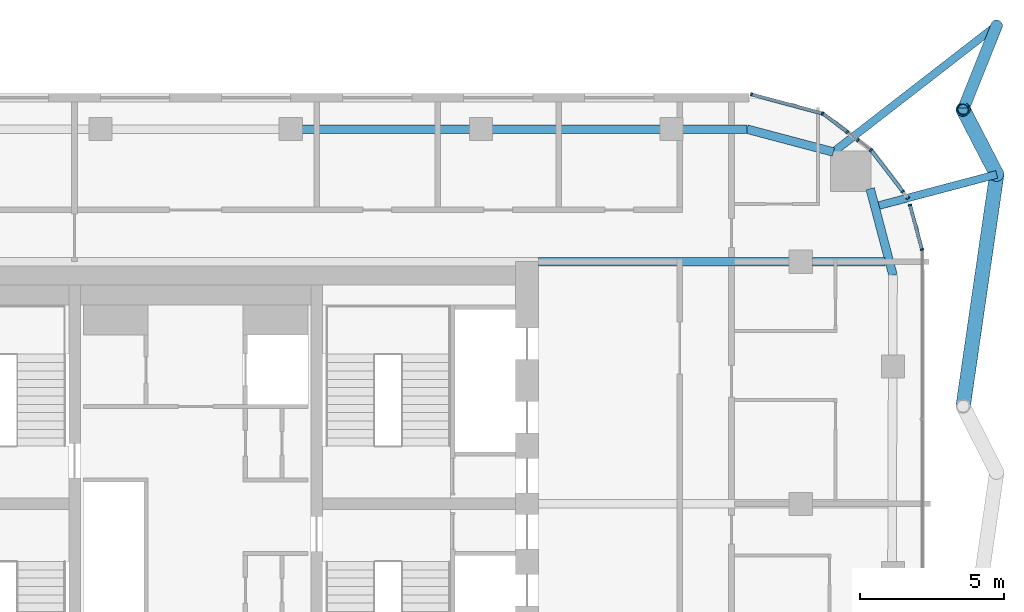
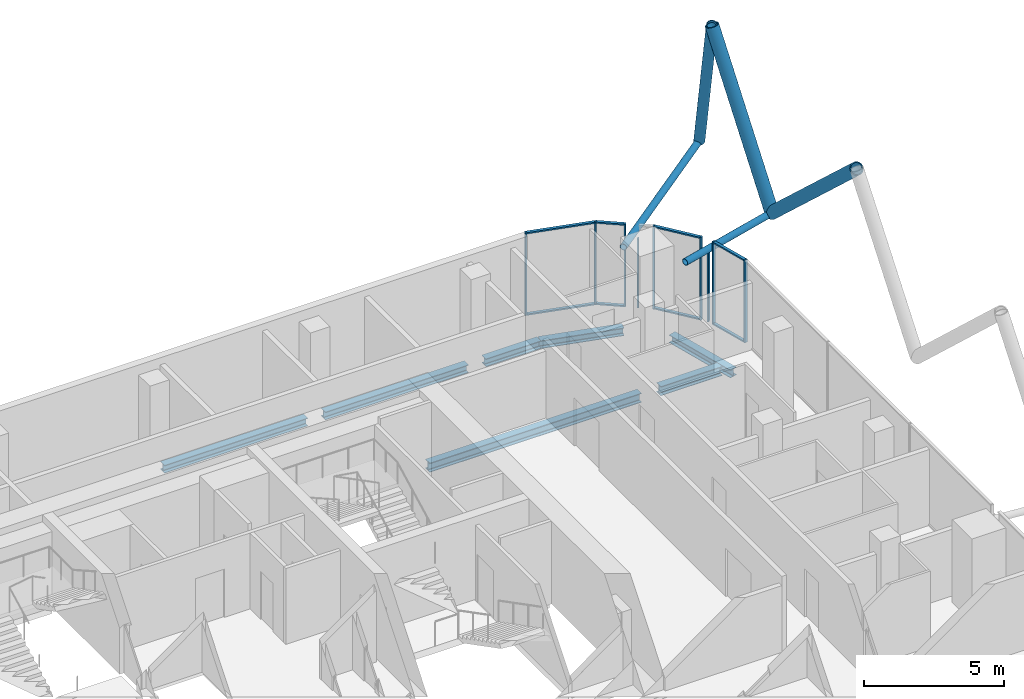
# One storey, part 13 of 33: 22 members, 7 beams, 7 elements without a shape of their own.
"""IFC4 building model written with IfcOpenShell, lengths in metres."""

from ifc_helpers import new_model, si_unit, direction, frame, origin, origin_2d, place, context, subcontext, project, spatial, rectangle, hollow_circle, i_section, extrude, material, layer, layer_set, material_profile, profile_set, type_object, element, aggregate, save


model = new_model("IFC4")

# Units and contexts
model_context = context("Model", 3, precision=1e-05, world=origin(), true_north=direction((0.0, 1.0)))
body_context = subcontext(model_context, "Body", "Model", "MODEL_VIEW")
ifc_project = project(units=[si_unit("LENGTHUNIT", "METRE"), si_unit("AREAUNIT", "SQUARE_METRE"), si_unit("VOLUMEUNIT", "CUBIC_METRE"), si_unit("PLANEANGLEUNIT", "RADIAN"), si_unit("MASSUNIT", "GRAM", prefix="KILO")], contexts=[model_context])

# Site, building, storey
site_placement = place(None, origin())
site = spatial("IfcSite", under=ifc_project, at=site_placement, CompositionType="ELEMENT")
building_placement = place(site_placement, origin())
building = spatial("IfcBuilding", under=site, at=building_placement, Name="Marenta Gate Hotel Tower", CompositionType="ELEMENT")
storey_placement = place(building_placement, frame((0.0, 0.0, 248.89990234375)))
storey = spatial("IfcBuildingStorey", under=building, at=storey_placement, Name="L59", CompositionType="ELEMENT", Elevation=248.89990234375)

# Members
ifc_material_1 = material(Name="Steel S355J2W", Category="steel")
ifc_material_profile_1 = material_profile(ifc_material_1, hollow_circle(Radius=0.203125, WallThickness=0.02490234375, at=origin_2d()), Name="CHS 406.4x25")
ifc_profile_set_1 = profile_set([ifc_material_profile_1], Name="Steel S355J2W")
member_type_1 = type_object("IfcMemberType", Name="Diagrid corner post Z3 CHS 406.4x25", PredefinedType="POST", material=ifc_profile_set_1)
member_1_placement = place(storey_placement, frame((27.800048828125, 25.0, 3.14013671875), z_axis=(-0.148326514511, -0.371127113005, 0.916659102985), x_axis=(0.928583922291, -0.371122485525, 0.0)))
element("IfcMember", 1, at=member_1_placement, inside=storey, type_object=member_type_1, Name="L59-DR-1", PredefinedType="POST", context=body_context, shape_type="SweptSolid", body=[
    extrude(hollow_circle(Radius=0.203125, WallThickness=0.02490234375, at=origin_2d()), origin(), (0.0, 0.0, 1.0), 7.8544921875),
])
ifc_material_2 = material(Name="Steel S355J2W", Category="steel")
ifc_material_profile_2 = material_profile(ifc_material_2, hollow_circle(Radius=0.25390625, WallThickness=0.0400390625, at=origin_2d()), Name="CHS 508x40")
ifc_profile_set_2 = profile_set([ifc_material_profile_2], Name="Steel S355J2W")
member_type_2 = type_object("IfcMemberType", Name="Diagrid diagonal T3 CHS 508x40", PredefinedType="BRACE", material=ifc_profile_set_2)
member_2_placement = place(storey_placement, frame((27.800048828125, 19.830078125, 3.14013671875), z_axis=(-0.152607747436, 0.295365707317, 0.943117158345), x_axis=(-0.888423291687, -0.459025113461, 0.0)))
element("IfcMember", 2, at=member_2_placement, inside=storey, type_object=member_type_2, Name="L59-DG-1", PredefinedType="BRACE", context=body_context, shape_type="SweptSolid", body=[
    extrude(hollow_circle(Radius=0.25390625, WallThickness=0.0400390625, at=origin_2d()), origin(), (0.0, 0.0, 1.0), 7.63427734375),
])
member_3_placement = place(storey_placement, frame((27.800048828125, 19.830078125, 3.14013671875), z_axis=(-0.107291679252, -0.740834206064, 0.663063477118), x_axis=(0.989674929117, -0.143330159689, 0.0)))
element("IfcMember", 3, at=member_3_placement, inside=storey, type_object=member_type_2, Name="L59-DG-2", PredefinedType="BRACE", context=body_context, shape_type="SweptSolid", body=[
    extrude(hollow_circle(Radius=0.25390625, WallThickness=0.0400390625, at=origin_2d()), origin(), (0.0, 0.0, 1.0), 10.858642578125),
])

# Beams
ifc_material_3 = material(Name="Steel S355", Category="steel")
ifc_material_profile_3 = material_profile(ifc_material_3, i_section(OverallWidth=0.300048828125, OverallDepth=0.340087890625, WebThickness=0.011962890625, FlangeThickness=0.021484375, FilletRadius=0.027099609375, at=origin_2d()), Name="HEB 340")
ifc_profile_set_3 = profile_set([ifc_material_profile_3], Name="Steel S355")
beam_type_1 = type_object("IfcBeamType", Name="Edge beam HEB 340", PredefinedType="SPANDREL", material=ifc_profile_set_3)
for number, where, z_axis, x_axis, name in (
    (4, (3.661376953125, 21.39990234375, -0.429931640625), (1.0, 0.0, 0.0), (0.0, 1.0, 0.0), "L59-EB-17"),
    (5, (10.26416015625, 21.39990234375, -0.429931640625), (1.0, 0.0, 0.0), (0.0, 1.0, 0.0), "L59-EB-18"),
):
    element("IfcBeam", number, at=place(storey_placement, frame(where, z_axis=z_axis, x_axis=x_axis)), inside=storey, type_object=beam_type_1, Name=name, PredefinedType="SPANDREL", context=body_context, shape_type="SweptSolid", body=[
        extrude(i_section(OverallWidth=0.300048828125, OverallDepth=0.340087890625, WebThickness=0.011962890625, FlangeThickness=0.021484375, FilletRadius=0.027099609375, at=origin_2d()), origin(), (0.0, 0.0, 1.0), 5.8828125),
    ])
beam_1_placement = place(storey_placement, frame((16.866943359375, 21.39990234375, -0.429931640625), z_axis=(1.0, 0.0, 0.0), x_axis=(0.0, 1.0, 0.0)))
element("IfcBeam", 6, at=beam_1_placement, inside=storey, type_object=beam_type_1, Name="L59-EB-19", PredefinedType="SPANDREL", context=body_context, shape_type="SweptSolid", body=[
    extrude(i_section(OverallWidth=0.300048828125, OverallDepth=0.340087890625, WebThickness=0.011962890625, FlangeThickness=0.021484375, FilletRadius=0.027099609375, at=origin_2d()), origin(), (0.0, 0.0, 1.0), 2.267578125),
])
beam_2_placement = place(storey_placement, frame((19.134521484375, 21.39990234375, -0.429931640625), z_axis=(0.9667647815, -0.25566747398, 0.0), x_axis=(0.25566747398, 0.9667647815, 0.0)))
element("IfcBeam", 7, at=beam_2_placement, inside=storey, type_object=beam_type_1, Name="L59-EB-20", PredefinedType="SPANDREL", context=body_context, shape_type="SweptSolid", body=[
    extrude(i_section(OverallWidth=0.300048828125, OverallDepth=0.340087890625, WebThickness=0.011962890625, FlangeThickness=0.021484375, FilletRadius=0.027099609375, at=origin_2d()), origin(), (0.0, 0.0, 1.0), 3.1005859375),
])
beam_3_placement = place(storey_placement, frame((23.4072265625, 19.332275390625, -0.429931640625), z_axis=(0.255648013319, -0.966769927794, 0.0), x_axis=(0.966769927794, 0.255648013319, 0.0)))
element("IfcBeam", 8, at=beam_3_placement, inside=storey, type_object=beam_type_1, Name="L59-EB-21", PredefinedType="SPANDREL", context=body_context, shape_type="SweptSolid", body=[
    extrude(i_section(OverallWidth=0.300048828125, OverallDepth=0.340087890625, WebThickness=0.011962890625, FlangeThickness=0.021484375, FilletRadius=0.027099609375, at=origin_2d()), origin(), (0.0, 0.0, 1.0), 3.100830078125),
])

# Members
ifc_material_4 = material(Name="Steel S355J2W", Category="steel")
ifc_material_profile_4 = material_profile(ifc_material_4, hollow_circle(Radius=0.136474609375, WallThickness=0.012451171875, at=origin_2d()), Name="CHS 273x12.5")
ifc_profile_set_4 = profile_set([ifc_material_profile_4], Name="Steel S355J2W")
member_type_3 = type_object("IfcMemberType", Name="Floor tie CHS 273x12.5", PredefinedType="STRUT", material=ifc_profile_set_4)
member_4_placement = place(storey_placement, frame((27.800048828125, 25.0, 3.14013671875), z_axis=(-0.790404308481, -0.612585528016, 0.0), x_axis=(0.612585528016, -0.790404308481, 0.0)))
element("IfcMember", 9, at=member_4_placement, inside=storey, type_object=member_type_3, Name="L59-DR-7", PredefinedType="STRUT", context=body_context, shape_type="SweptSolid", body=[
    extrude(hollow_circle(Radius=0.136474609375, WallThickness=0.012451171875, at=origin_2d()), origin(), (0.0, 0.0, 1.0), 7.15185546875),
])
member_5_placement = place(storey_placement, frame((27.800048828125, 19.830078125, 3.14013671875), z_axis=(-0.966765507576, -0.255664728426, 0.0), x_axis=(0.255664728426, -0.966765507576, 0.0)))
element("IfcMember", 10, at=member_5_placement, inside=storey, type_object=member_type_3, Name="L59-DR-8", PredefinedType="STRUT", context=body_context, shape_type="SweptSolid", body=[
    extrude(hollow_circle(Radius=0.136474609375, WallThickness=0.012451171875, at=origin_2d()), origin(), (0.0, 0.0, 1.0), 4.359130859375),
])

# Beams
ifc_material_5 = material(Name="Steel S355", Category="steel")
ifc_material_profile_5 = material_profile(ifc_material_5, i_section(OverallWidth=0.300048828125, OverallDepth=0.39990234375, WebThickness=0.013427734375, FlangeThickness=0.02392578125, FilletRadius=0.027099609375, at=origin_2d()), Name="HEB 400")
ifc_profile_set_5 = profile_set([ifc_material_profile_5], Name="Steel S355")
beam_type_2 = type_object("IfcBeamType", Name="Girder HEB 400", PredefinedType="BEAM", material=ifc_profile_set_5)
beam_4_placement = place(storey_placement, frame((11.89990234375, 16.800048828125, -0.4599609375), z_axis=(1.0, 0.0, 0.0), x_axis=(0.0, 1.0, 0.0)))
element("IfcBeam", 11, at=beam_4_placement, inside=storey, type_object=beam_type_2, Name="L59-GD-32", PredefinedType="BEAM", context=body_context, shape_type="SweptSolid", body=[
    extrude(i_section(OverallWidth=0.300048828125, OverallDepth=0.39990234375, WebThickness=0.013427734375, FlangeThickness=0.02392578125, FilletRadius=0.027099609375, at=origin_2d()), origin(), (0.0, 0.0, 1.0), 8.7001953125),
])
beam_5_placement = place(storey_placement, frame((21.39990234375, 16.800048828125, -0.4599609375), z_axis=(1.0, 0.0, 0.0), x_axis=(0.0, 1.0, 0.0)))
element("IfcBeam", 12, at=beam_5_placement, inside=storey, type_object=beam_type_2, Name="L59-GD-33", PredefinedType="BEAM", context=body_context, shape_type="SweptSolid", body=[
    extrude(i_section(OverallWidth=0.300048828125, OverallDepth=0.39990234375, WebThickness=0.013427734375, FlangeThickness=0.02392578125, FilletRadius=0.027099609375, at=origin_2d()), origin(), (0.0, 0.0, 1.0), 2.521728515625),
])

# Curtain wall, members
ifc_material_6 = material(Name="Tinted insulated glass in bronze anodised frame", Category="glass")
ifc_layer = layer(ifc_material_6, 0.1201171875)
ifc_layer_set = layer_set([ifc_layer], Name="Tinted insulated glass in bronze anodised frame")
curtain_wall_type = type_object("IfcCurtainWallType", Name="Tower unitised curtain wall CW1", PredefinedType="NOTDEFINED", material=ifc_layer_set)
curtain_wall_1_placement = place(storey_placement, origin())
curtain_wall_1 = element("IfcCurtainWall", 13, at=curtain_wall_1_placement, inside=storey, type_object=curtain_wall_type, Name="CW1 run G35", PredefinedType="NOTDEFINED")
ifc_material_7 = material(Name="Bronze anodised aluminium", Category="aluminium")
ifc_material_profile_6 = material_profile(ifc_material_7, rectangle(XDim=0.1201171875, YDim=0.06005859375, at=origin_2d()), Name="Mullion CW1 60x120 bronze anodised aluminium")
ifc_profile_set_6 = profile_set([ifc_material_profile_6], Name="Bronze anodised aluminium")
member_type_4 = type_object("IfcMemberType", Name="Mullion CW1 60x120 bronze anodised aluminium", PredefinedType="MULLION", material=ifc_profile_set_6)
member_6_placement = place(storey_placement, frame((25.206298828125, 17.220947265625, 0.0), z_axis=(0.0, 0.0, 1.0), x_axis=(-0.965922818295, -0.25883027083, 0.0)))
member_6 = element("IfcMember", 14, at=member_6_placement, type_object=member_type_4, Name="CW1 mullion 1", PredefinedType="MULLION", context=body_context, shape_type="SweptSolid", body=[
    extrude(rectangle(XDim=0.1201171875, YDim=0.06005859375, at=origin_2d()), origin(), (0.0, 0.0, 1.0), 3.60009765625),
])
member_7_placement = place(storey_placement, frame((24.791259765625, 18.76904296875, 0.0), z_axis=(0.0, 0.0, 1.0), x_axis=(-0.965922818295, -0.25883027083, 0.0)))
member_7 = element("IfcMember", 15, at=member_7_placement, type_object=member_type_4, Name="CW1 mullion 2", PredefinedType="MULLION", context=body_context, shape_type="SweptSolid", body=[
    extrude(rectangle(XDim=0.1201171875, YDim=0.06005859375, at=origin_2d()), origin(), (0.0, 0.0, 1.0), 3.60009765625),
])

# Curtain wall, member
curtain_wall_2_placement = place(storey_placement, origin())
curtain_wall_2 = element("IfcCurtainWall", 16, at=curtain_wall_2_placement, inside=storey, type_object=curtain_wall_type, Name="CW1 run G36", PredefinedType="NOTDEFINED")
member_8_placement = place(storey_placement, frame((24.7158203125, 19.00634765625, 0.0), z_axis=(0.0, 0.0, 1.0), x_axis=(-0.793317236047, -0.608808478087, 0.0)))
member_8 = element("IfcMember", 17, at=member_8_placement, type_object=member_type_4, Name="CW1 mullion 1", PredefinedType="MULLION", context=body_context, shape_type="SweptSolid", body=[
    extrude(rectangle(XDim=0.1201171875, YDim=0.06005859375, at=origin_2d()), origin(), (0.0, 0.0, 1.0), 3.00048828125),
])
aggregate(curtain_wall_2, [member_8])

curtain_wall_3_placement = place(storey_placement, origin())
curtain_wall_3 = element("IfcCurtainWall", 18, at=curtain_wall_3_placement, inside=storey, type_object=curtain_wall_type, Name="CW1 run G37", PredefinedType="NOTDEFINED")
member_9_placement = place(storey_placement, frame((24.54296875, 19.231689453125, 0.0), z_axis=(0.0, 0.0, 1.0), x_axis=(-0.79333584573, -0.608784227687, 0.0)))
member_9 = element("IfcMember", 19, at=member_9_placement, type_object=member_type_4, Name="CW1 mullion 1", PredefinedType="MULLION", context=body_context, shape_type="SweptSolid", body=[
    extrude(rectangle(XDim=0.1201171875, YDim=0.06005859375, at=origin_2d()), origin(), (0.0, 0.0, 1.0), 3.60009765625),
])

curtain_wall_4_placement = place(storey_placement, origin())
curtain_wall_4 = element("IfcCurtainWall", 20, at=curtain_wall_4_placement, inside=storey, type_object=curtain_wall_type, Name="CW1 run G38", PredefinedType="NOTDEFINED")
member_10_placement = place(storey_placement, frame((23.4287109375, 20.6708984375, 0.0), z_axis=(0.0, 0.0, 1.0), x_axis=(-0.608769572677, -0.793347091368, 0.0)))
member_10 = element("IfcMember", 21, at=member_10_placement, type_object=member_type_4, Name="CW1 mullion 1", PredefinedType="MULLION", context=body_context, shape_type="SweptSolid", body=[
    extrude(rectangle(XDim=0.1201171875, YDim=0.06005859375, at=origin_2d()), origin(), (0.0, 0.0, 1.0), 3.60009765625),
])
aggregate(curtain_wall_4, [member_10])

curtain_wall_5_placement = place(storey_placement, origin())
curtain_wall_5 = element("IfcCurtainWall", 22, at=curtain_wall_5_placement, inside=storey, type_object=curtain_wall_type, Name="CW1 run G39", PredefinedType="NOTDEFINED")
member_11_placement = place(storey_placement, frame((22.98046875, 21.014892578125, 0.0), z_axis=(0.0, 0.0, 1.0), x_axis=(-0.608843780404, -0.793290143052, 0.0)))
member_11 = element("IfcMember", 23, at=member_11_placement, type_object=member_type_4, Name="CW1 mullion 1", PredefinedType="MULLION", context=body_context, shape_type="SweptSolid", body=[
    extrude(rectangle(XDim=0.1201171875, YDim=0.06005859375, at=origin_2d()), origin(), (0.0, 0.0, 1.0), 3.00048828125),
])
aggregate(curtain_wall_5, [member_11])

curtain_wall_6_placement = place(storey_placement, origin())
curtain_wall_6 = element("IfcCurtainWall", 24, at=curtain_wall_6_placement, inside=storey, type_object=curtain_wall_type, Name="CW1 run G40", PredefinedType="NOTDEFINED")
member_12_placement = place(storey_placement, frame((22.60888671875, 21.300048828125, 0.0), z_axis=(0.0, 0.0, 1.0), x_axis=(-0.60877235005, -0.793344960162, 0.0)))
member_12 = element("IfcMember", 25, at=member_12_placement, type_object=member_type_4, Name="CW1 mullion 1", PredefinedType="MULLION", context=body_context, shape_type="SweptSolid", body=[
    extrude(rectangle(XDim=0.1201171875, YDim=0.06005859375, at=origin_2d()), origin(), (0.0, 0.0, 1.0), 3.60009765625),
])

# Curtain wall, members
curtain_wall_7_placement = place(storey_placement, origin())
curtain_wall_7 = element("IfcCurtainWall", 26, at=curtain_wall_7_placement, inside=storey, type_object=curtain_wall_type, Name="CW1 run G41", PredefinedType="NOTDEFINED")
member_13_placement = place(storey_placement, frame((21.75341796875, 21.94189453125, 0.0), z_axis=(0.0, 0.0, 1.0), x_axis=(-0.258804895175, -0.96592961764, 0.0)))
member_13 = element("IfcMember", 27, at=member_13_placement, type_object=member_type_4, Name="CW1 mullion 1", PredefinedType="MULLION", context=body_context, shape_type="SweptSolid", body=[
    extrude(rectangle(XDim=0.1201171875, YDim=0.06005859375, at=origin_2d()), origin(), (0.0, 0.0, 1.0), 3.60009765625),
])
member_14_placement = place(storey_placement, frame((19.285400390625, 22.603271484375, 0.0), z_axis=(0.0, 0.0, 1.0), x_axis=(-0.258804895175, -0.96592961764, 0.0)))
member_14 = element("IfcMember", 28, at=member_14_placement, type_object=member_type_4, Name="CW1 mullion 2", PredefinedType="MULLION", context=body_context, shape_type="SweptSolid", body=[
    extrude(rectangle(XDim=0.1201171875, YDim=0.06005859375, at=origin_2d()), origin(), (0.0, 0.0, 1.0), 3.60009765625),
])

# Member
ifc_material_8 = material(Name="Bronze anodised aluminium", Category="aluminium")
ifc_material_profile_7 = material_profile(ifc_material_8, rectangle(XDim=0.1201171875, YDim=0.06005859375, at=origin_2d()), Name="Transom CW1 60x120 bronze anodised aluminium")
ifc_profile_set_7 = profile_set([ifc_material_profile_7], Name="Bronze anodised aluminium")
member_type_5 = type_object("IfcMemberType", Name="Transom CW1 60x120 bronze anodised aluminium", PredefinedType="USERDEFINED", material=ifc_profile_set_7)
member_15_placement = place(storey_placement, frame((25.198486328125, 17.249755859375, 0.030029296875), z_axis=(-0.258844166869, 0.965919094582, 0.0), x_axis=(-0.965919094582, -0.258844166869, 0.0)))
member_15 = element("IfcMember", 29, at=member_15_placement, type_object=member_type_5, Name="CW1 transom 1.1", ObjectType="TRANSOM", PredefinedType="USERDEFINED", context=body_context, shape_type="SweptSolid", body=[
    extrude(rectangle(XDim=0.1201171875, YDim=0.06005859375, at=origin_2d()), origin(), (0.0, 0.0, 1.0), 1.54296875),
])

member_16_placement = place(storey_placement, frame((25.198486328125, 17.249755859375, 3.570068359375), z_axis=(-0.258844166869, 0.965919094582, 0.0), x_axis=(-0.965919094582, -0.258844166869, 0.0)))
member_16 = element("IfcMember", 30, at=member_16_placement, type_object=member_type_5, Name="CW1 transom 1.2", ObjectType="TRANSOM", PredefinedType="USERDEFINED", context=body_context, shape_type="SweptSolid", body=[
    extrude(rectangle(XDim=0.1201171875, YDim=0.06005859375, at=origin_2d()), origin(), (0.0, 0.0, 1.0), 1.54296875),
])

aggregate(curtain_wall_1, [member_6, member_7, member_15, member_16])

member_17_placement = place(storey_placement, frame((24.524658203125, 19.25537109375, 0.030029296875), z_axis=(-0.608725448508, 0.793380947804, 0.0), x_axis=(-0.793380947804, -0.608725448508, 0.0)))
member_17 = element("IfcMember", 31, at=member_17_placement, type_object=member_type_5, Name="CW1 transom 1.1", ObjectType="TRANSOM", PredefinedType="USERDEFINED", context=body_context, shape_type="SweptSolid", body=[
    extrude(rectangle(XDim=0.1201171875, YDim=0.06005859375, at=origin_2d()), origin(), (0.0, 0.0, 1.0), 1.760986328125),
])

member_18_placement = place(storey_placement, frame((24.524658203125, 19.25537109375, 3.570068359375), z_axis=(-0.608725448508, 0.793380947804, 0.0), x_axis=(-0.793380947804, -0.608725448508, 0.0)))
member_18 = element("IfcMember", 32, at=member_18_placement, type_object=member_type_5, Name="CW1 transom 1.2", ObjectType="TRANSOM", PredefinedType="USERDEFINED", context=body_context, shape_type="SweptSolid", body=[
    extrude(rectangle(XDim=0.1201171875, YDim=0.06005859375, at=origin_2d()), origin(), (0.0, 0.0, 1.0), 1.760986328125),
])

aggregate(curtain_wall_3, [member_9, member_17, member_18])

member_19_placement = place(storey_placement, frame((22.585205078125, 21.318359375, 0.030029296875), z_axis=(-0.793466512091, 0.608613912255, 0.0), x_axis=(-0.608613912255, -0.793466512091, 0.0)))
member_19 = element("IfcMember", 33, at=member_19_placement, type_object=member_type_5, Name="CW1 transom 1.1", ObjectType="TRANSOM", PredefinedType="USERDEFINED", context=body_context, shape_type="SweptSolid", body=[
    extrude(rectangle(XDim=0.1201171875, YDim=0.06005859375, at=origin_2d()), origin(), (0.0, 0.0, 1.0), 1.01171875),
])

member_20_placement = place(storey_placement, frame((22.585205078125, 21.318359375, 3.570068359375), z_axis=(-0.793466512091, 0.608613912255, 0.0), x_axis=(-0.608613912255, -0.793466512091, 0.0)))
member_20 = element("IfcMember", 34, at=member_20_placement, type_object=member_type_5, Name="CW1 transom 1.2", ObjectType="TRANSOM", PredefinedType="USERDEFINED", context=body_context, shape_type="SweptSolid", body=[
    extrude(rectangle(XDim=0.1201171875, YDim=0.06005859375, at=origin_2d()), origin(), (0.0, 0.0, 1.0), 1.01171875),
])

aggregate(curtain_wall_6, [member_12, member_19, member_20])

member_21_placement = place(storey_placement, frame((21.724609375, 21.94970703125, 0.030029296875), z_axis=(-0.965930582093, 0.258801295547, 0.0), x_axis=(-0.258801295547, -0.965930582093, 0.0)))
member_21 = element("IfcMember", 35, at=member_21_placement, type_object=member_type_5, Name="CW1 transom 1.1", ObjectType="TRANSOM", PredefinedType="USERDEFINED", context=body_context, shape_type="SweptSolid", body=[
    extrude(rectangle(XDim=0.1201171875, YDim=0.06005859375, at=origin_2d()), origin(), (0.0, 0.0, 1.0), 2.4951171875),
])

member_22_placement = place(storey_placement, frame((21.724609375, 21.94970703125, 3.570068359375), z_axis=(-0.965930582093, 0.258801295547, 0.0), x_axis=(-0.258801295547, -0.965930582093, 0.0)))
member_22 = element("IfcMember", 36, at=member_22_placement, type_object=member_type_5, Name="CW1 transom 1.2", ObjectType="TRANSOM", PredefinedType="USERDEFINED", context=body_context, shape_type="SweptSolid", body=[
    extrude(rectangle(XDim=0.1201171875, YDim=0.06005859375, at=origin_2d()), origin(), (0.0, 0.0, 1.0), 2.4951171875),
])

aggregate(curtain_wall_7, [member_13, member_14, member_21, member_22])

save(model, "model.ifc")
